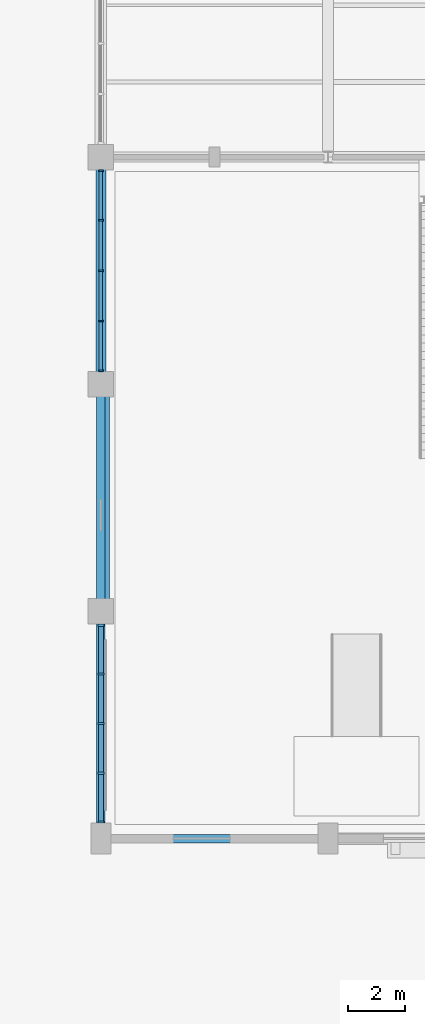
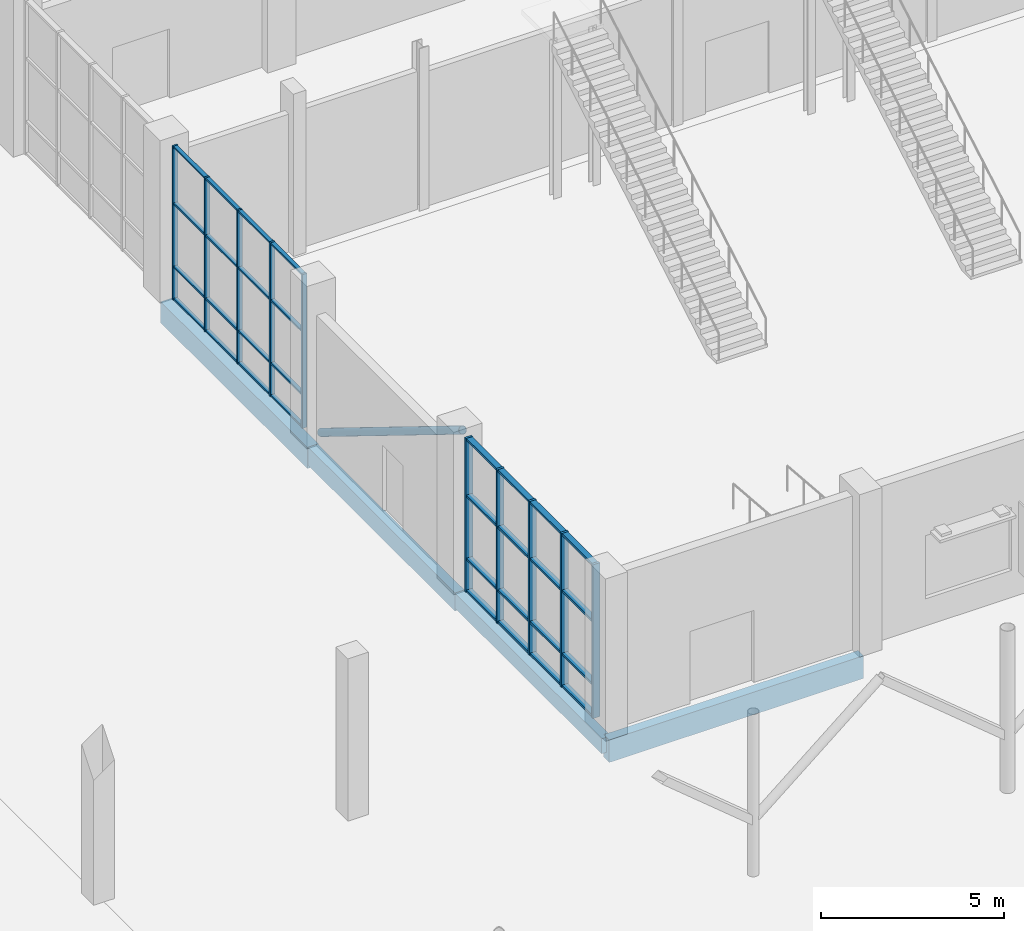
# One storey, part 27 of 123: 43 members, 4 beams, 2 elements without a shape of their own.
"""IFC4 building model written with IfcOpenShell, lengths in metres."""

import ifcopenshell
import ifcopenshell.guid

model = None  # the IFC model being written
_history = None  # IfcOwnerHistory: only IFC2X3 demands one
_inside = {}  # id of a spatial element -> (the spatial element, [elements in it])
_under = {}  # id of a project, library or spatial element -> (it, [spatial elements below it])
_declared = {}  # id of a project -> (the project, [libraries it declares])
_typed = {}  # id of a type object -> (the type object, [elements of that type])
_made_of = {}  # id of a material, layer set ... -> (it, [elements and type objects made of it])


def new_model(schema):
    """Start an empty IFC model of exactly this schema.

    Asked for "IFC4X3", IfcOpenShell would pick the latest addendum, in which some entities
    have other attributes; the version numbers below select the first issue.
    IFC2X3 requires an IfcOwnerHistory on every rooted entity: one is made here for all.
    """
    global model, _history
    if schema == "IFC4X3":
        model = ifcopenshell.file(schema_version=(4, 3, 0, 0))
    else:
        model = ifcopenshell.file(schema=schema)
    _inside.clear()
    _under.clear()
    _declared.clear()
    _typed.clear()
    _made_of.clear()
    _history = None
    if model.schema == "IFC2X3":
        org = make("IfcOrganization", Name="unknown")
        user = make(
            "IfcPersonAndOrganization",
            ThePerson=make("IfcPerson", FamilyName="unknown"),
            TheOrganization=org,
        )
        app = make(
            "IfcApplication",
            ApplicationDeveloper=org,
            Version="unknown",
            ApplicationFullName="unknown",
            ApplicationIdentifier="unknown",
        )
        _history = make(
            "IfcOwnerHistory",
            OwningUser=user,
            OwningApplication=app,
            ChangeAction="ADDED",
            CreationDate=0,
        )
    return model


def make(cls, **values):
    """One entity of the class cls with the attributes given. An attribute that is None is left unset."""
    return model.create_entity(
        cls, **{name: value for name, value in values.items() if value is not None}
    )


def rooted(cls, **values):
    """An entity with a GlobalId (a new one), such as an element, a storey or a relation."""
    return make(cls, GlobalId=ifcopenshell.guid.new(), OwnerHistory=_history, **values)


def si_unit(unit_type, name, prefix=None):
    """IfcSIUnit, for example si_unit("LENGTHUNIT", "METRE", prefix="MILLI")."""
    return make("IfcSIUnit", UnitType=unit_type, Prefix=prefix, Name=name)


def assignment(units):
    """IfcUnitAssignment: the units of a project."""
    return None if units is None else make("IfcUnitAssignment", Units=units)


def point(xyz):
    """IfcCartesianPoint."""
    return None if xyz is None else make("IfcCartesianPoint", Coordinates=xyz)


def direction(xyz):
    """IfcDirection."""
    return None if xyz is None else make("IfcDirection", DirectionRatios=xyz)


def frame(location, z_axis=None, x_axis=None):
    """IfcAxis2Placement3D, a coordinate frame: its origin and axes. An axis left out is left unset."""
    return make(
        "IfcAxis2Placement3D",
        Location=point(location),
        Axis=direction(z_axis),
        RefDirection=direction(x_axis),
    )


def frame_2d(location, x_axis=None):
    """IfcAxis2Placement2D, a coordinate frame in the plane: its origin and x axis."""
    return make(
        "IfcAxis2Placement2D", Location=point(location), RefDirection=direction(x_axis)
    )


def origin():
    """The frame at (0, 0, 0) with its axes left unset."""
    return frame((0.0, 0.0, 0.0))


def origin_2d():
    """The frame at (0, 0) in the plane with its x axis left unset."""
    return frame_2d((0.0, 0.0))


def place(relative_to, where):
    """IfcLocalPlacement: puts the frame where relative to a parent placement (None: the world)."""
    return make(
        "IfcLocalPlacement", PlacementRelTo=relative_to, RelativePlacement=where
    )


def context(
    kind, dimensions, precision=None, world=None, true_north=None, identifier=None
):
    """IfcGeometricRepresentationContext, for example the 3D "Model" context."""
    return make(
        "IfcGeometricRepresentationContext",
        ContextIdentifier=identifier,
        ContextType=kind,
        CoordinateSpaceDimension=dimensions,
        Precision=precision,
        WorldCoordinateSystem=world,
        TrueNorth=true_north,
    )


def subcontext(parent, identifier, kind, view, scale=None):
    """IfcGeometricRepresentationSubContext, for example "Body" below "Model"."""
    return make(
        "IfcGeometricRepresentationSubContext",
        ContextIdentifier=identifier,
        ContextType=kind,
        ParentContext=parent,
        TargetScale=scale,
        TargetView=view,
    )


def project(units=None, contexts=None):
    """IfcProject with its units and contexts."""
    return rooted(
        "IfcProject",
        Name="project",
        RepresentationContexts=contexts,
        UnitsInContext=assignment(units),
    )


def spatial(cls, under=None, at=None, **own):
    """A site, building, storey or space (cls), placed at a placement, below another one or the project."""
    s = rooted(cls, ObjectPlacement=at, **own)
    if under is not None:
        _under.setdefault(under.id(), (under, []))[1].append(s)
    return s


def profile(cls, at=None, kind="AREA", **sizes):
    """A parametric profile (cls). Its sizes go by their IFC names, for example OverallWidth=200.0."""
    return make(cls, ProfileType=kind, Position=at, **sizes)


def rectangle(**sizes):
    """IfcRectangleProfileDef."""
    return profile("IfcRectangleProfileDef", **sizes)


def hollow_circle(**sizes):
    """IfcCircleHollowProfileDef."""
    return profile("IfcCircleHollowProfileDef", **sizes)


def extrude(swept, where, along, depth):
    """IfcExtrudedAreaSolid: the profile swept, set in the frame where, extruded along a direction by depth."""
    return make(
        "IfcExtrudedAreaSolid",
        SweptArea=swept,
        Position=where,
        ExtrudedDirection=direction(along),
        Depth=depth,
    )


def shape(context_of_items, identifier, shape_type, items):
    """IfcShapeRepresentation: the items that make up one representation, for example the "Body"."""
    return make(
        "IfcShapeRepresentation",
        ContextOfItems=context_of_items,
        RepresentationIdentifier=identifier,
        RepresentationType=shape_type,
        Items=items,
    )


def material(Name=None, Category=None):
    """IfcMaterial."""
    return make("IfcMaterial", Name=Name, Category=Category)


def material_profile(
    of_material, cross_section, Name=None, Category=None, Priority=None
):
    """IfcMaterialProfile: a cross section and its material."""
    return make(
        "IfcMaterialProfile",
        Name=Name,
        Material=of_material,
        Profile=cross_section,
        Priority=Priority,
        Category=Category,
    )


def profile_set(profiles, Name=None, composite=None):
    """IfcMaterialProfileSet."""
    return make(
        "IfcMaterialProfileSet",
        Name=Name,
        MaterialProfiles=profiles,
        CompositeProfile=composite,
    )


def made_of(thing, what):
    """Note that an element or type object is made of a material, layer set ...; save() writes the relation."""
    if what is not None:
        _made_of.setdefault(what.id(), (what, []))[1].append(thing)
    return thing


def type_object(cls, material=None, **own):
    """A type object (cls), such as IfcWallType, which elements share."""
    return made_of(rooted(cls, **own), material)


def element(
    cls,
    number,
    at=None,
    inside=None,
    cuts=None,
    type_object=None,
    material=None,
    context=None,
    identifier="Body",
    shape_type=None,
    held_by="IfcProductDefinitionShape",
    body=None,
    shapes=None,
    **own,
):
    """One element of the class cls, such as IfcWall. Its Tag is "e" and its number.

    at: its placement. inside: the storey or other place that contains it. cuts: it is an
    opening in that element (IfcRelVoidsElement). A single representation is given by context,
    identifier, shape_type and body (its items); several are given by shapes. held_by: the class
    of the entity that holds the representations. save() writes the other relations.
    """
    e = rooted(cls, Tag="e%d" % number, ObjectPlacement=at, **own)
    if body is not None:
        shapes = [shape(context, identifier, shape_type, body)]
    if shapes is not None:
        e.Representation = make(held_by, Representations=shapes)
    if inside is not None:
        _inside.setdefault(inside.id(), (inside, []))[1].append(e)
    if cuts is not None:
        rooted(
            "IfcRelVoidsElement", RelatingBuildingElement=cuts, RelatedOpeningElement=e
        )
    if type_object is not None:
        _typed.setdefault(type_object.id(), (type_object, []))[1].append(e)
    return made_of(e, material)


def aggregate(whole, parts):
    """IfcRelAggregates: a whole, such as a stair, and the parts it consists of."""
    return rooted("IfcRelAggregates", RelatingObject=whole, RelatedObjects=parts)


def save(model, path):
    """Write the relations noted so far, then the file.

    IfcRelAggregates (storeys below a building ...), IfcRelContainedInSpatialStructure (elements
    in a storey), IfcRelDefinesByType, IfcRelAssociatesMaterial and IfcRelDeclares: one each for
    every whole, place, type object, material and project.
    """
    for whole, parts in _under.values():
        aggregate(whole, parts)
    for where, things in _inside.values():
        rooted(
            "IfcRelContainedInSpatialStructure",
            RelatedElements=things,
            RelatingStructure=where,
        )
    for kind, things in _typed.values():
        rooted("IfcRelDefinesByType", RelatedObjects=things, RelatingType=kind)
    for what, things in _made_of.values():
        rooted("IfcRelAssociatesMaterial", RelatedObjects=things, RelatingMaterial=what)
    for by, libraries in _declared.values():
        rooted("IfcRelDeclares", RelatingContext=by, RelatedDefinitions=libraries)
    model.write(path)


model = new_model("IFC4")

# Units and contexts
model_context = context("Model", 3, precision=1e-05, world=origin(), true_north=direction((0.0, 1.0)))
body_context = subcontext(model_context, "Body", "Model", "MODEL_VIEW")
ifc_project = project(units=[si_unit("LENGTHUNIT", "METRE"), si_unit("AREAUNIT", "SQUARE_METRE"), si_unit("VOLUMEUNIT", "CUBIC_METRE"), si_unit("PLANEANGLEUNIT", "RADIAN"), si_unit("MASSUNIT", "GRAM", prefix="KILO")], contexts=[model_context])

# Site, building, storey
site_placement = place(None, origin())
site = spatial("IfcSite", under=ifc_project, at=site_placement, CompositionType="ELEMENT")
building_placement = place(site_placement, origin())
building = spatial("IfcBuilding", under=site, at=building_placement, Name="Tenunan Teduh Sports Hall", CompositionType="ELEMENT")
storey_placement = place(building_placement, origin())
storey = spatial("IfcBuildingStorey", under=building, at=storey_placement, Name="L00", CompositionType="ELEMENT", Elevation=0.0)

# Beams
ifc_material_1 = material(Name="Concrete C40/50", Category="concrete")
ifc_material_profile_1 = material_profile(ifc_material_1, rectangle(XDim=0.300048828125, YDim=0.5, at=origin_2d()), Name="RCB 300x500")
ifc_profile_set_1 = profile_set([ifc_material_profile_1], Name="Concrete C40/50")
beam_type_1 = type_object("IfcBeamType", Name="BM-RC-300x500", PredefinedType="BEAM", material=ifc_profile_set_1)
beam_1_placement = place(storey_placement, frame((122.0, 14.0, -0.570068359375), z_axis=(0.0, 1.0, 0.0), x_axis=(-1.0, 0.0, 0.0)))
element("IfcBeam", 1, at=beam_1_placement, inside=storey, type_object=beam_type_1, Name="BM-B-01-L00-0846", PredefinedType="BEAM", context=body_context, shape_type="SweptSolid", body=[
    extrude(rectangle(XDim=0.300048828125, YDim=0.5, at=origin_2d()), origin(), (0.0, 0.0, 1.0), 8.0),
])
ifc_material_2 = material(Name="Concrete C40/50", Category="concrete")
ifc_material_profile_2 = material_profile(ifc_material_2, rectangle(XDim=0.300048828125, YDim=0.60009765625, at=origin_2d()), Name="RCB 300x600")
ifc_profile_set_2 = profile_set([ifc_material_profile_2], Name="Concrete C40/50")
beam_type_2 = type_object("IfcBeamType", Name="BM-RC-300x600", PredefinedType="BEAM", material=ifc_profile_set_2)
beam_2_placement = place(storey_placement, frame((122.0, 22.0, -0.6201171875), z_axis=(0.0, 1.0, 0.0), x_axis=(-1.0, 0.0, 0.0)))
element("IfcBeam", 2, at=beam_2_placement, inside=storey, type_object=beam_type_2, Name="BM-B-03-L00-0847", PredefinedType="BEAM", context=body_context, shape_type="SweptSolid", body=[
    extrude(rectangle(XDim=0.300048828125, YDim=0.60009765625, at=origin_2d()), origin(), (0.0, 0.0, 1.0), 8.0),
])
ifc_material_3 = material(Name="Concrete C40/50", Category="concrete")
ifc_material_profile_3 = material_profile(ifc_material_3, rectangle(XDim=0.35009765625, YDim=0.699951171875, at=origin_2d()), Name="RCB 350x700")
ifc_profile_set_3 = profile_set([ifc_material_profile_3], Name="Concrete C40/50")
beam_type_3 = type_object("IfcBeamType", Name="BM-RC-350x700", PredefinedType="BEAM", material=ifc_profile_set_3)
beam_3_placement = place(storey_placement, frame((122.0, 30.0, -0.669921875), z_axis=(0.0, 1.0, 0.0), x_axis=(-1.0, 0.0, 0.0)))
element("IfcBeam", 3, at=beam_3_placement, inside=storey, type_object=beam_type_3, Name="BM-B-06-L00-0848", PredefinedType="BEAM", context=body_context, shape_type="SweptSolid", body=[
    extrude(rectangle(XDim=0.35009765625, YDim=0.699951171875, at=origin_2d()), origin(), (0.0, 0.0, 1.0), 8.0),
])
ifc_material_4 = material(Name="Concrete C40/50", Category="concrete")
ifc_material_profile_4 = material_profile(ifc_material_4, rectangle(XDim=0.300048828125, YDim=0.75, at=origin_2d()), Name="SPB 300x750")
ifc_profile_set_4 = profile_set([ifc_material_profile_4], Name="Concrete C40/50")
beam_type_4 = type_object("IfcBeamType", Name="BM-SP-300x750", PredefinedType="SPANDREL", material=ifc_profile_set_4)
beam_4_placement = place(storey_placement, frame((122.0, 14.0, -0.695068359375), z_axis=(1.0, 0.0, 0.0), x_axis=(0.0, 1.0, 0.0)))
element("IfcBeam", 4, at=beam_4_placement, inside=storey, type_object=beam_type_4, Name="BM-SP-01-L00-0631", PredefinedType="SPANDREL", context=body_context, shape_type="SweptSolid", body=[
    extrude(rectangle(XDim=0.300048828125, YDim=0.75, at=origin_2d()), origin(), (0.0, 0.0, 1.0), 8.0),
])

# Curtain wall, members
ifc_material_5 = material(Name="Anodised aluminium", Category="aluminium")
curtain_wall_type = type_object("IfcCurtainWallType", Name="CW-UNIT-1", PredefinedType="NOTDEFINED", material=ifc_material_5)
curtain_wall_1_placement = place(storey_placement, origin())
curtain_wall_1 = element("IfcCurtainWall", 5, at=curtain_wall_1_placement, inside=storey, type_object=curtain_wall_type, Name="CW-CWM-150-L00-003", PredefinedType="NOTDEFINED")
ifc_material_6 = material(Name="Anodised aluminium", Category="aluminium")
ifc_material_profile_5 = material_profile(ifc_material_6, rectangle(XDim=0.06005859375, YDim=0.14990234375, at=origin_2d()), Name="CWM 60x150")
ifc_profile_set_5 = profile_set([ifc_material_profile_5], Name="Anodised aluminium")
member_type_1 = type_object("IfcMemberType", Name="CWM-150", PredefinedType="MULLION", material=ifc_profile_set_5)
member_1_placement = place(storey_placement, frame((122.0, 30.47998046875, 0.0), z_axis=(0.0, 0.0, 1.0), x_axis=(0.0, 1.0, 0.0)))
member_1 = element("IfcMember", 6, at=member_1_placement, type_object=member_type_1, Name="CW-01 mullion 1", PredefinedType="MULLION", context=body_context, shape_type="SweptSolid", body=[
    extrude(rectangle(XDim=0.06005859375, YDim=0.14990234375, at=origin_2d()), origin(), (0.0, 0.0, 1.0), 5.1201171875),
])
member_2_placement = place(storey_placement, frame((122.0, 32.22509765625, 0.0), z_axis=(0.0, 0.0, 1.0), x_axis=(0.0, 1.0, 0.0)))
member_2 = element("IfcMember", 7, at=member_2_placement, type_object=member_type_1, Name="CW-01 mullion 2", PredefinedType="MULLION", context=body_context, shape_type="SweptSolid", body=[
    extrude(rectangle(XDim=0.06005859375, YDim=0.14990234375, at=origin_2d()), origin(), (0.0, 0.0, 1.0), 5.1201171875),
])
member_3_placement = place(storey_placement, frame((122.0, 34.0, 0.0), z_axis=(0.0, 0.0, 1.0), x_axis=(0.0, 1.0, 0.0)))
member_3 = element("IfcMember", 8, at=member_3_placement, type_object=member_type_1, Name="CW-01 mullion 3", PredefinedType="MULLION", context=body_context, shape_type="SweptSolid", body=[
    extrude(rectangle(XDim=0.06005859375, YDim=0.14990234375, at=origin_2d()), origin(), (0.0, 0.0, 1.0), 5.1201171875),
])
member_4_placement = place(storey_placement, frame((122.0, 35.77490234375, 0.0), z_axis=(0.0, 0.0, 1.0), x_axis=(0.0, 1.0, 0.0)))
member_4 = element("IfcMember", 9, at=member_4_placement, type_object=member_type_1, Name="CW-01 mullion 4", PredefinedType="MULLION", context=body_context, shape_type="SweptSolid", body=[
    extrude(rectangle(XDim=0.06005859375, YDim=0.14990234375, at=origin_2d()), origin(), (0.0, 0.0, 1.0), 5.1201171875),
])
member_5_placement = place(storey_placement, frame((122.0, 37.52001953125, 0.0), z_axis=(0.0, 0.0, 1.0), x_axis=(0.0, 1.0, 0.0)))
member_5 = element("IfcMember", 10, at=member_5_placement, type_object=member_type_1, Name="CW-01 mullion 5", PredefinedType="MULLION", context=body_context, shape_type="SweptSolid", body=[
    extrude(rectangle(XDim=0.06005859375, YDim=0.14990234375, at=origin_2d()), origin(), (0.0, 0.0, 1.0), 5.1201171875),
])

curtain_wall_2_placement = place(storey_placement, origin())
curtain_wall_2 = element("IfcCurtainWall", 11, at=curtain_wall_2_placement, inside=storey, type_object=curtain_wall_type, Name="CW-CWM-220-L00-001", PredefinedType="NOTDEFINED")
ifc_material_7 = material(Name="Anodised aluminium", Category="aluminium")
ifc_material_profile_6 = material_profile(ifc_material_7, rectangle(XDim=0.074951171875, YDim=0.219970703125, at=origin_2d()), Name="CWM 75x220")
ifc_profile_set_6 = profile_set([ifc_material_profile_6], Name="Anodised aluminium")
member_type_2 = type_object("IfcMemberType", Name="CWM-220", PredefinedType="MULLION", material=ifc_profile_set_6)
member_6_placement = place(storey_placement, frame((122.0, 14.58740234375, 0.0), z_axis=(0.0, 0.0, 1.0), x_axis=(0.0, 1.0, 0.0)))
member_6 = element("IfcMember", 12, at=member_6_placement, type_object=member_type_2, Name="CW-01 mullion 1", PredefinedType="MULLION", context=body_context, shape_type="SweptSolid", body=[
    extrude(rectangle(XDim=0.074951171875, YDim=0.219970703125, at=origin_2d()), origin(), (0.0, 0.0, 1.0), 5.1201171875),
])
member_7_placement = place(storey_placement, frame((122.0, 16.300048828125, 0.0), z_axis=(0.0, 0.0, 1.0), x_axis=(0.0, 1.0, 0.0)))
member_7 = element("IfcMember", 13, at=member_7_placement, type_object=member_type_2, Name="CW-01 mullion 2", PredefinedType="MULLION", context=body_context, shape_type="SweptSolid", body=[
    extrude(rectangle(XDim=0.074951171875, YDim=0.219970703125, at=origin_2d()), origin(), (0.0, 0.0, 1.0), 5.1201171875),
])
member_8_placement = place(storey_placement, frame((122.0, 18.050048828125, 0.0), z_axis=(0.0, 0.0, 1.0), x_axis=(0.0, 1.0, 0.0)))
member_8 = element("IfcMember", 14, at=member_8_placement, type_object=member_type_2, Name="CW-01 mullion 3", PredefinedType="MULLION", context=body_context, shape_type="SweptSolid", body=[
    extrude(rectangle(XDim=0.074951171875, YDim=0.219970703125, at=origin_2d()), origin(), (0.0, 0.0, 1.0), 5.1201171875),
])
member_9_placement = place(storey_placement, frame((122.0, 19.800048828125, 0.0), z_axis=(0.0, 0.0, 1.0), x_axis=(0.0, 1.0, 0.0)))
member_9 = element("IfcMember", 15, at=member_9_placement, type_object=member_type_2, Name="CW-01 mullion 4", PredefinedType="MULLION", context=body_context, shape_type="SweptSolid", body=[
    extrude(rectangle(XDim=0.074951171875, YDim=0.219970703125, at=origin_2d()), origin(), (0.0, 0.0, 1.0), 5.1201171875),
])
member_10_placement = place(storey_placement, frame((122.0, 21.512451171875, 0.0), z_axis=(0.0, 0.0, 1.0), x_axis=(0.0, 1.0, 0.0)))
member_10 = element("IfcMember", 16, at=member_10_placement, type_object=member_type_2, Name="CW-01 mullion 5", PredefinedType="MULLION", context=body_context, shape_type="SweptSolid", body=[
    extrude(rectangle(XDim=0.074951171875, YDim=0.219970703125, at=origin_2d()), origin(), (0.0, 0.0, 1.0), 5.1201171875),
])

# Member
ifc_material_8 = material(Name="Anodised aluminium", Category="aluminium")
ifc_material_profile_7 = material_profile(ifc_material_8, rectangle(XDim=0.06005859375, YDim=0.1201171875, at=origin_2d()), Name="CWT 60x120")
ifc_profile_set_7 = profile_set([ifc_material_profile_7], Name="Anodised aluminium")
member_type_3 = type_object("IfcMemberType", Name="CWT-125", PredefinedType="USERDEFINED", material=ifc_profile_set_7)
member_11_placement = place(storey_placement, frame((122.0, 30.510009765625, 0.030029296875), z_axis=(0.0, 1.0, 0.0), x_axis=(0.0, 0.0, 1.0)))
member_11 = element("IfcMember", 17, at=member_11_placement, type_object=member_type_3, Name="CW-01 transom 1.1", ObjectType="TRANSOM", PredefinedType="USERDEFINED", context=body_context, shape_type="SweptSolid", body=[
    extrude(rectangle(XDim=0.06005859375, YDim=0.1201171875, at=origin_2d()), origin(), (0.0, 0.0, 1.0), 1.68505859375),
])

member_12_placement = place(storey_placement, frame((122.0, 30.510009765625, 1.10009765625), z_axis=(0.0, 1.0, 0.0), x_axis=(0.0, 0.0, 1.0)))
member_12 = element("IfcMember", 18, at=member_12_placement, type_object=member_type_3, Name="CW-01 transom 1.2", ObjectType="TRANSOM", PredefinedType="USERDEFINED", context=body_context, shape_type="SweptSolid", body=[
    extrude(rectangle(XDim=0.06005859375, YDim=0.1201171875, at=origin_2d()), origin(), (0.0, 0.0, 1.0), 1.68505859375),
])

member_13_placement = place(storey_placement, frame((122.0, 30.510009765625, 3.199951171875), z_axis=(0.0, 1.0, 0.0), x_axis=(0.0, 0.0, 1.0)))
member_13 = element("IfcMember", 19, at=member_13_placement, type_object=member_type_3, Name="CW-01 transom 1.3", ObjectType="TRANSOM", PredefinedType="USERDEFINED", context=body_context, shape_type="SweptSolid", body=[
    extrude(rectangle(XDim=0.06005859375, YDim=0.1201171875, at=origin_2d()), origin(), (0.0, 0.0, 1.0), 1.68505859375),
])

member_14_placement = place(storey_placement, frame((122.0, 30.510009765625, 5.090087890625), z_axis=(0.0, 1.0, 0.0), x_axis=(0.0, 0.0, 1.0)))
member_14 = element("IfcMember", 20, at=member_14_placement, type_object=member_type_3, Name="CW-01 transom 1.4", ObjectType="TRANSOM", PredefinedType="USERDEFINED", context=body_context, shape_type="SweptSolid", body=[
    extrude(rectangle(XDim=0.06005859375, YDim=0.1201171875, at=origin_2d()), origin(), (0.0, 0.0, 1.0), 1.68505859375),
])

member_15_placement = place(storey_placement, frame((122.0, 32.2548828125, 0.030029296875), z_axis=(0.0, 1.0, 0.0), x_axis=(0.0, 0.0, 1.0)))
member_15 = element("IfcMember", 21, at=member_15_placement, type_object=member_type_3, Name="CW-01 transom 2.1", ObjectType="TRANSOM", PredefinedType="USERDEFINED", context=body_context, shape_type="SweptSolid", body=[
    extrude(rectangle(XDim=0.06005859375, YDim=0.1201171875, at=origin_2d()), origin(), (0.0, 0.0, 1.0), 1.715087890625),
])

member_16_placement = place(storey_placement, frame((122.0, 32.2548828125, 1.10009765625), z_axis=(0.0, 1.0, 0.0), x_axis=(0.0, 0.0, 1.0)))
member_16 = element("IfcMember", 22, at=member_16_placement, type_object=member_type_3, Name="CW-01 transom 2.2", ObjectType="TRANSOM", PredefinedType="USERDEFINED", context=body_context, shape_type="SweptSolid", body=[
    extrude(rectangle(XDim=0.06005859375, YDim=0.1201171875, at=origin_2d()), origin(), (0.0, 0.0, 1.0), 1.715087890625),
])

member_17_placement = place(storey_placement, frame((122.0, 32.2548828125, 3.199951171875), z_axis=(0.0, 1.0, 0.0), x_axis=(0.0, 0.0, 1.0)))
member_17 = element("IfcMember", 23, at=member_17_placement, type_object=member_type_3, Name="CW-01 transom 2.3", ObjectType="TRANSOM", PredefinedType="USERDEFINED", context=body_context, shape_type="SweptSolid", body=[
    extrude(rectangle(XDim=0.06005859375, YDim=0.1201171875, at=origin_2d()), origin(), (0.0, 0.0, 1.0), 1.715087890625),
])

member_18_placement = place(storey_placement, frame((122.0, 32.2548828125, 5.090087890625), z_axis=(0.0, 1.0, 0.0), x_axis=(0.0, 0.0, 1.0)))
member_18 = element("IfcMember", 24, at=member_18_placement, type_object=member_type_3, Name="CW-01 transom 2.4", ObjectType="TRANSOM", PredefinedType="USERDEFINED", context=body_context, shape_type="SweptSolid", body=[
    extrude(rectangle(XDim=0.06005859375, YDim=0.1201171875, at=origin_2d()), origin(), (0.0, 0.0, 1.0), 1.715087890625),
])

member_19_placement = place(storey_placement, frame((122.0, 34.030029296875, 0.030029296875), z_axis=(0.0, 1.0, 0.0), x_axis=(0.0, 0.0, 1.0)))
member_19 = element("IfcMember", 25, at=member_19_placement, type_object=member_type_3, Name="CW-01 transom 3.1", ObjectType="TRANSOM", PredefinedType="USERDEFINED", context=body_context, shape_type="SweptSolid", body=[
    extrude(rectangle(XDim=0.06005859375, YDim=0.1201171875, at=origin_2d()), origin(), (0.0, 0.0, 1.0), 1.715087890625),
])

member_20_placement = place(storey_placement, frame((122.0, 34.030029296875, 1.10009765625), z_axis=(0.0, 1.0, 0.0), x_axis=(0.0, 0.0, 1.0)))
member_20 = element("IfcMember", 26, at=member_20_placement, type_object=member_type_3, Name="CW-01 transom 3.2", ObjectType="TRANSOM", PredefinedType="USERDEFINED", context=body_context, shape_type="SweptSolid", body=[
    extrude(rectangle(XDim=0.06005859375, YDim=0.1201171875, at=origin_2d()), origin(), (0.0, 0.0, 1.0), 1.715087890625),
])

member_21_placement = place(storey_placement, frame((122.0, 34.030029296875, 3.199951171875), z_axis=(0.0, 1.0, 0.0), x_axis=(0.0, 0.0, 1.0)))
member_21 = element("IfcMember", 27, at=member_21_placement, type_object=member_type_3, Name="CW-01 transom 3.3", ObjectType="TRANSOM", PredefinedType="USERDEFINED", context=body_context, shape_type="SweptSolid", body=[
    extrude(rectangle(XDim=0.06005859375, YDim=0.1201171875, at=origin_2d()), origin(), (0.0, 0.0, 1.0), 1.715087890625),
])

member_22_placement = place(storey_placement, frame((122.0, 34.030029296875, 5.090087890625), z_axis=(0.0, 1.0, 0.0), x_axis=(0.0, 0.0, 1.0)))
member_22 = element("IfcMember", 28, at=member_22_placement, type_object=member_type_3, Name="CW-01 transom 3.4", ObjectType="TRANSOM", PredefinedType="USERDEFINED", context=body_context, shape_type="SweptSolid", body=[
    extrude(rectangle(XDim=0.06005859375, YDim=0.1201171875, at=origin_2d()), origin(), (0.0, 0.0, 1.0), 1.715087890625),
])

member_23_placement = place(storey_placement, frame((122.0, 35.804931640625, 0.030029296875), z_axis=(0.0, 1.0, 0.0), x_axis=(0.0, 0.0, 1.0)))
member_23 = element("IfcMember", 29, at=member_23_placement, type_object=member_type_3, Name="CW-01 transom 4.1", ObjectType="TRANSOM", PredefinedType="USERDEFINED", context=body_context, shape_type="SweptSolid", body=[
    extrude(rectangle(XDim=0.06005859375, YDim=0.1201171875, at=origin_2d()), origin(), (0.0, 0.0, 1.0), 1.68505859375),
])

member_24_placement = place(storey_placement, frame((122.0, 35.804931640625, 1.10009765625), z_axis=(0.0, 1.0, 0.0), x_axis=(0.0, 0.0, 1.0)))
member_24 = element("IfcMember", 30, at=member_24_placement, type_object=member_type_3, Name="CW-01 transom 4.2", ObjectType="TRANSOM", PredefinedType="USERDEFINED", context=body_context, shape_type="SweptSolid", body=[
    extrude(rectangle(XDim=0.06005859375, YDim=0.1201171875, at=origin_2d()), origin(), (0.0, 0.0, 1.0), 1.68505859375),
])

member_25_placement = place(storey_placement, frame((122.0, 35.804931640625, 3.199951171875), z_axis=(0.0, 1.0, 0.0), x_axis=(0.0, 0.0, 1.0)))
member_25 = element("IfcMember", 31, at=member_25_placement, type_object=member_type_3, Name="CW-01 transom 4.3", ObjectType="TRANSOM", PredefinedType="USERDEFINED", context=body_context, shape_type="SweptSolid", body=[
    extrude(rectangle(XDim=0.06005859375, YDim=0.1201171875, at=origin_2d()), origin(), (0.0, 0.0, 1.0), 1.68505859375),
])

member_26_placement = place(storey_placement, frame((122.0, 35.804931640625, 5.090087890625), z_axis=(0.0, 1.0, 0.0), x_axis=(0.0, 0.0, 1.0)))
member_26 = element("IfcMember", 32, at=member_26_placement, type_object=member_type_3, Name="CW-01 transom 4.4", ObjectType="TRANSOM", PredefinedType="USERDEFINED", context=body_context, shape_type="SweptSolid", body=[
    extrude(rectangle(XDim=0.06005859375, YDim=0.1201171875, at=origin_2d()), origin(), (0.0, 0.0, 1.0), 1.68505859375),
])

aggregate(curtain_wall_1, [member_1, member_2, member_3, member_4, member_5, member_11, member_12, member_13, member_14, member_15, member_16, member_17, member_18, member_19, member_20, member_21, member_22, member_23, member_24, member_25, member_26])

ifc_material_9 = material(Name="Anodised aluminium", Category="aluminium")
ifc_material_profile_8 = material_profile(ifc_material_9, rectangle(XDim=0.074951171875, YDim=0.179931640625, at=origin_2d()), Name="CWT 75x180")
ifc_profile_set_8 = profile_set([ifc_material_profile_8], Name="Anodised aluminium")
member_type_4 = type_object("IfcMemberType", Name="CWT-180", PredefinedType="USERDEFINED", material=ifc_profile_set_8)
member_27_placement = place(storey_placement, frame((122.0, 14.625, 0.03759765625), z_axis=(0.0, 1.0, 0.0), x_axis=(0.0, 0.0, 1.0)))
member_27 = element("IfcMember", 33, at=member_27_placement, type_object=member_type_4, Name="CW-01 transom 1.1", ObjectType="TRANSOM", PredefinedType="USERDEFINED", context=body_context, shape_type="SweptSolid", body=[
    extrude(rectangle(XDim=0.074951171875, YDim=0.179931640625, at=origin_2d()), origin(), (0.0, 0.0, 1.0), 1.637451171875),
])

member_28_placement = place(storey_placement, frame((122.0, 14.625, 1.10009765625), z_axis=(0.0, 1.0, 0.0), x_axis=(0.0, 0.0, 1.0)))
member_28 = element("IfcMember", 34, at=member_28_placement, type_object=member_type_4, Name="CW-01 transom 1.2", ObjectType="TRANSOM", PredefinedType="USERDEFINED", context=body_context, shape_type="SweptSolid", body=[
    extrude(rectangle(XDim=0.074951171875, YDim=0.179931640625, at=origin_2d()), origin(), (0.0, 0.0, 1.0), 1.637451171875),
])

member_29_placement = place(storey_placement, frame((122.0, 14.625, 3.199951171875), z_axis=(0.0, 1.0, 0.0), x_axis=(0.0, 0.0, 1.0)))
member_29 = element("IfcMember", 35, at=member_29_placement, type_object=member_type_4, Name="CW-01 transom 1.3", ObjectType="TRANSOM", PredefinedType="USERDEFINED", context=body_context, shape_type="SweptSolid", body=[
    extrude(rectangle(XDim=0.074951171875, YDim=0.179931640625, at=origin_2d()), origin(), (0.0, 0.0, 1.0), 1.637451171875),
])

member_30_placement = place(storey_placement, frame((122.0, 14.625, 5.08251953125), z_axis=(0.0, 1.0, 0.0), x_axis=(0.0, 0.0, 1.0)))
member_30 = element("IfcMember", 36, at=member_30_placement, type_object=member_type_4, Name="CW-01 transom 1.4", ObjectType="TRANSOM", PredefinedType="USERDEFINED", context=body_context, shape_type="SweptSolid", body=[
    extrude(rectangle(XDim=0.074951171875, YDim=0.179931640625, at=origin_2d()), origin(), (0.0, 0.0, 1.0), 1.637451171875),
])

member_31_placement = place(storey_placement, frame((122.0, 16.33740234375, 0.03759765625), z_axis=(0.0, 1.0, 0.0), x_axis=(0.0, 0.0, 1.0)))
member_31 = element("IfcMember", 37, at=member_31_placement, type_object=member_type_4, Name="CW-01 transom 2.1", ObjectType="TRANSOM", PredefinedType="USERDEFINED", context=body_context, shape_type="SweptSolid", body=[
    extrude(rectangle(XDim=0.074951171875, YDim=0.179931640625, at=origin_2d()), origin(), (0.0, 0.0, 1.0), 1.675048828125),
])

member_32_placement = place(storey_placement, frame((122.0, 16.33740234375, 1.10009765625), z_axis=(0.0, 1.0, 0.0), x_axis=(0.0, 0.0, 1.0)))
member_32 = element("IfcMember", 38, at=member_32_placement, type_object=member_type_4, Name="CW-01 transom 2.2", ObjectType="TRANSOM", PredefinedType="USERDEFINED", context=body_context, shape_type="SweptSolid", body=[
    extrude(rectangle(XDim=0.074951171875, YDim=0.179931640625, at=origin_2d()), origin(), (0.0, 0.0, 1.0), 1.675048828125),
])

member_33_placement = place(storey_placement, frame((122.0, 16.33740234375, 3.199951171875), z_axis=(0.0, 1.0, 0.0), x_axis=(0.0, 0.0, 1.0)))
member_33 = element("IfcMember", 39, at=member_33_placement, type_object=member_type_4, Name="CW-01 transom 2.3", ObjectType="TRANSOM", PredefinedType="USERDEFINED", context=body_context, shape_type="SweptSolid", body=[
    extrude(rectangle(XDim=0.074951171875, YDim=0.179931640625, at=origin_2d()), origin(), (0.0, 0.0, 1.0), 1.675048828125),
])

member_34_placement = place(storey_placement, frame((122.0, 16.33740234375, 5.08251953125), z_axis=(0.0, 1.0, 0.0), x_axis=(0.0, 0.0, 1.0)))
member_34 = element("IfcMember", 40, at=member_34_placement, type_object=member_type_4, Name="CW-01 transom 2.4", ObjectType="TRANSOM", PredefinedType="USERDEFINED", context=body_context, shape_type="SweptSolid", body=[
    extrude(rectangle(XDim=0.074951171875, YDim=0.179931640625, at=origin_2d()), origin(), (0.0, 0.0, 1.0), 1.675048828125),
])

member_35_placement = place(storey_placement, frame((122.0, 18.08740234375, 0.03759765625), z_axis=(0.0, 1.0, 0.0), x_axis=(0.0, 0.0, 1.0)))
member_35 = element("IfcMember", 41, at=member_35_placement, type_object=member_type_4, Name="CW-01 transom 3.1", ObjectType="TRANSOM", PredefinedType="USERDEFINED", context=body_context, shape_type="SweptSolid", body=[
    extrude(rectangle(XDim=0.074951171875, YDim=0.179931640625, at=origin_2d()), origin(), (0.0, 0.0, 1.0), 1.675048828125),
])

member_36_placement = place(storey_placement, frame((122.0, 18.08740234375, 1.10009765625), z_axis=(0.0, 1.0, 0.0), x_axis=(0.0, 0.0, 1.0)))
member_36 = element("IfcMember", 42, at=member_36_placement, type_object=member_type_4, Name="CW-01 transom 3.2", ObjectType="TRANSOM", PredefinedType="USERDEFINED", context=body_context, shape_type="SweptSolid", body=[
    extrude(rectangle(XDim=0.074951171875, YDim=0.179931640625, at=origin_2d()), origin(), (0.0, 0.0, 1.0), 1.675048828125),
])

member_37_placement = place(storey_placement, frame((122.0, 18.08740234375, 3.199951171875), z_axis=(0.0, 1.0, 0.0), x_axis=(0.0, 0.0, 1.0)))
member_37 = element("IfcMember", 43, at=member_37_placement, type_object=member_type_4, Name="CW-01 transom 3.3", ObjectType="TRANSOM", PredefinedType="USERDEFINED", context=body_context, shape_type="SweptSolid", body=[
    extrude(rectangle(XDim=0.074951171875, YDim=0.179931640625, at=origin_2d()), origin(), (0.0, 0.0, 1.0), 1.675048828125),
])

member_38_placement = place(storey_placement, frame((122.0, 18.08740234375, 5.08251953125), z_axis=(0.0, 1.0, 0.0), x_axis=(0.0, 0.0, 1.0)))
member_38 = element("IfcMember", 44, at=member_38_placement, type_object=member_type_4, Name="CW-01 transom 3.4", ObjectType="TRANSOM", PredefinedType="USERDEFINED", context=body_context, shape_type="SweptSolid", body=[
    extrude(rectangle(XDim=0.074951171875, YDim=0.179931640625, at=origin_2d()), origin(), (0.0, 0.0, 1.0), 1.675048828125),
])

member_39_placement = place(storey_placement, frame((122.0, 19.83740234375, 0.03759765625), z_axis=(0.0, 1.0, 0.0), x_axis=(0.0, 0.0, 1.0)))
member_39 = element("IfcMember", 45, at=member_39_placement, type_object=member_type_4, Name="CW-01 transom 4.1", ObjectType="TRANSOM", PredefinedType="USERDEFINED", context=body_context, shape_type="SweptSolid", body=[
    extrude(rectangle(XDim=0.074951171875, YDim=0.179931640625, at=origin_2d()), origin(), (0.0, 0.0, 1.0), 1.6376953125),
])

member_40_placement = place(storey_placement, frame((122.0, 19.83740234375, 1.10009765625), z_axis=(0.0, 1.0, 0.0), x_axis=(0.0, 0.0, 1.0)))
member_40 = element("IfcMember", 46, at=member_40_placement, type_object=member_type_4, Name="CW-01 transom 4.2", ObjectType="TRANSOM", PredefinedType="USERDEFINED", context=body_context, shape_type="SweptSolid", body=[
    extrude(rectangle(XDim=0.074951171875, YDim=0.179931640625, at=origin_2d()), origin(), (0.0, 0.0, 1.0), 1.6376953125),
])

member_41_placement = place(storey_placement, frame((122.0, 19.83740234375, 3.199951171875), z_axis=(0.0, 1.0, 0.0), x_axis=(0.0, 0.0, 1.0)))
member_41 = element("IfcMember", 47, at=member_41_placement, type_object=member_type_4, Name="CW-01 transom 4.3", ObjectType="TRANSOM", PredefinedType="USERDEFINED", context=body_context, shape_type="SweptSolid", body=[
    extrude(rectangle(XDim=0.074951171875, YDim=0.179931640625, at=origin_2d()), origin(), (0.0, 0.0, 1.0), 1.6376953125),
])

member_42_placement = place(storey_placement, frame((122.0, 19.83740234375, 5.08251953125), z_axis=(0.0, 1.0, 0.0), x_axis=(0.0, 0.0, 1.0)))
member_42 = element("IfcMember", 48, at=member_42_placement, type_object=member_type_4, Name="CW-01 transom 4.4", ObjectType="TRANSOM", PredefinedType="USERDEFINED", context=body_context, shape_type="SweptSolid", body=[
    extrude(rectangle(XDim=0.074951171875, YDim=0.179931640625, at=origin_2d()), origin(), (0.0, 0.0, 1.0), 1.6376953125),
])

aggregate(curtain_wall_2, [member_6, member_7, member_8, member_9, member_10, member_27, member_28, member_29, member_30, member_31, member_32, member_33, member_34, member_35, member_36, member_37, member_38, member_39, member_40, member_41, member_42])

ifc_material_10 = material(Name="Steel S355", Category="steel")
ifc_material_profile_9 = material_profile(ifc_material_10, hollow_circle(Radius=0.122314453125, WallThickness=0.010009765625, at=origin_2d()), Name="CHS 244.5x10.0")
ifc_profile_set_9 = profile_set([ifc_material_profile_9], Name="Steel S355")
member_type_5 = type_object("IfcMemberType", Name="MEM-BR-CHS245", PredefinedType="BRACE", material=ifc_profile_set_9)
member_43_placement = place(storey_placement, frame((122.179931640625, 29.85009765625, 0.14990234375), z_axis=(0.0, -0.851094506608, 0.525012514919), x_axis=(1.0, 0.0, 0.0)))
element("IfcMember", 49, at=member_43_placement, inside=storey, type_object=member_type_5, Name="MEM-GD-01-L00-1457", PredefinedType="BRACE", context=body_context, shape_type="SweptSolid", body=[
    extrude(hollow_circle(Radius=0.122314453125, WallThickness=0.010009765625, at=origin_2d()), origin(), (0.0, 0.0, 1.0), 9.04736328125),
])

save(model, "model.ifc")
